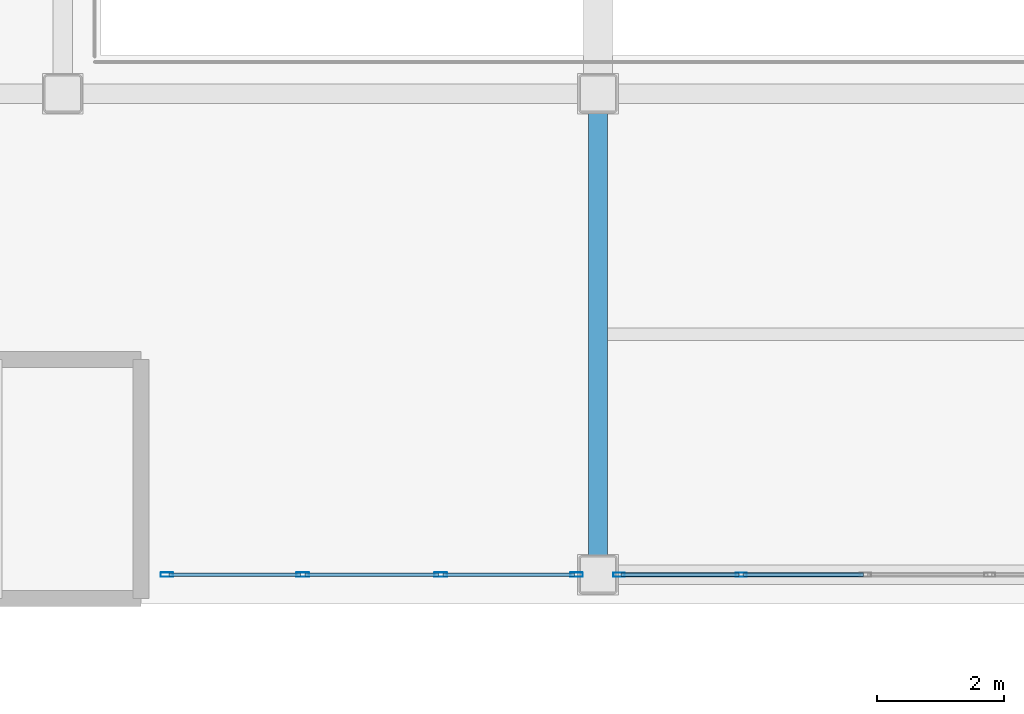
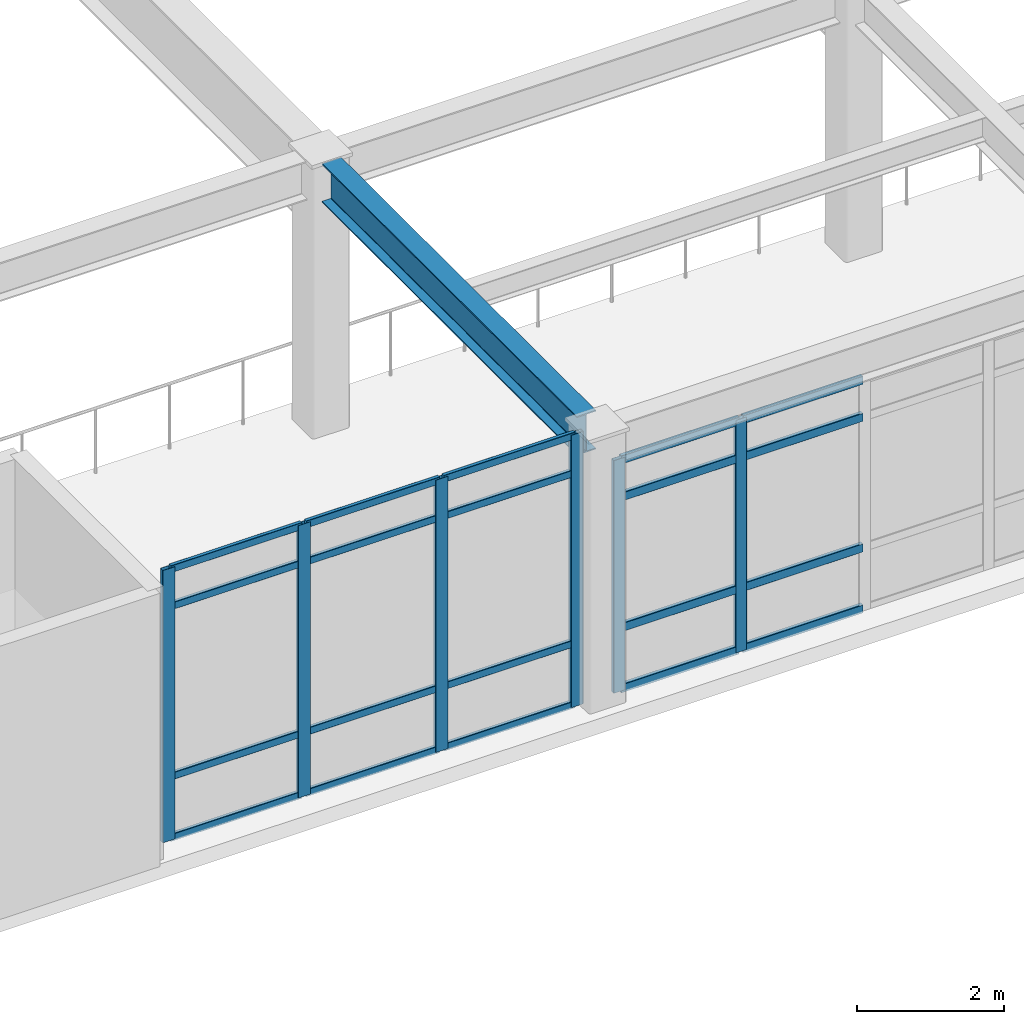
# One storey, part 10 of 172: 26 members, 1 beam, 2 elements without a shape of their own.
"""IFC4 building model written with IfcOpenShell, lengths in metres."""

from ifc_helpers import new_model, si_unit, direction, frame, origin, origin_2d, place, context, subcontext, project, spatial, hollow_rectangle, i_section, extrude, material, layer, layer_set, material_profile, profile_set, type_object, element, aggregate, save


model = new_model("IFC4")

# Units and contexts
model_context = context("Model", 3, precision=1e-05, world=origin(), true_north=direction((0.0, 1.0)))
body_context = subcontext(model_context, "Body", "Model", "MODEL_VIEW")
ifc_project = project(units=[si_unit("LENGTHUNIT", "METRE"), si_unit("AREAUNIT", "SQUARE_METRE"), si_unit("VOLUMEUNIT", "CUBIC_METRE"), si_unit("PLANEANGLEUNIT", "RADIAN"), si_unit("MASSUNIT", "GRAM", prefix="KILO")], contexts=[model_context])

# Site, building, storey
site_placement = place(None, origin())
site = spatial("IfcSite", under=ifc_project, at=site_placement, CompositionType="ELEMENT")
building_placement = place(site_placement, origin())
building = spatial("IfcBuilding", under=site, at=building_placement, Name="Kazehara Bluff Congress Hotel", CompositionType="ELEMENT")
storey_placement = place(building_placement, frame((0.0, 0.0, 5.39990234375)))
storey = spatial("IfcBuildingStorey", under=building, at=storey_placement, Name="L01", CompositionType="ELEMENT", Elevation=5.39990234375)

# Curtain wall, members
ifc_material_1 = material(Name="Anodised aluminium", Category="aluminium")
ifc_layer_1 = layer(ifc_material_1, 0.159912109375)
ifc_layer_set_1 = layer_set([ifc_layer_1], Name="Anodised aluminium")
curtain_wall_type_1 = type_object("IfcCurtainWallType", Name="TP-CW-29", PredefinedType="NOTDEFINED", material=ifc_layer_set_1)
curtain_wall_1_placement = place(storey_placement, origin())
curtain_wall_1 = element("IfcCurtainWall", 1, at=curtain_wall_1_placement, inside=storey, type_object=curtain_wall_type_1, Name="L01 curtain wall CW-29 CW-V2-L01-Y45-2550", PredefinedType="NOTDEFINED")
ifc_material_2 = material(Name="Anodised aluminium", Category="aluminium")
ifc_material_profile_1 = material_profile(ifc_material_2, hollow_rectangle(XDim=0.06494140625, YDim=0.179931640625, WallThickness=0.00390625, InnerFilletRadius=0.00390625, OuterFilletRadius=0.008056640625, at=origin_2d()))
ifc_profile_set_1 = profile_set([ifc_material_profile_1], Name="Anodised aluminium")
member_type_1 = type_object("IfcMemberType", Name="TP-CWM-02", PredefinedType="MULLION", material=ifc_profile_set_1)
member_1_placement = place(storey_placement, frame((25.532470703125, 0.449951171875, 0.0), z_axis=(0.0, 0.0, 1.0), x_axis=(0.0, 1.0, 0.0)))
member_1 = element("IfcMember", 2, at=member_1_placement, type_object=member_type_1, Name="CW-29 mullion 1", PredefinedType="MULLION", context=body_context, shape_type="SweptSolid", body=[
    extrude(hollow_rectangle(XDim=0.06494140625, YDim=0.179931640625, WallThickness=0.00390625, InnerFilletRadius=0.00390625, OuterFilletRadius=0.008056640625, at=origin_2d()), origin(), (0.0, 0.0, 1.0), 3.875),
])
member_2_placement = place(storey_placement, frame((27.449951171875, 0.449951171875, 0.0), z_axis=(0.0, 0.0, 1.0), x_axis=(0.0, 1.0, 0.0)))
member_2 = element("IfcMember", 3, at=member_2_placement, type_object=member_type_1, Name="CW-29 mullion 2", PredefinedType="MULLION", context=body_context, shape_type="SweptSolid", body=[
    extrude(hollow_rectangle(XDim=0.06494140625, YDim=0.179931640625, WallThickness=0.00390625, InnerFilletRadius=0.00390625, OuterFilletRadius=0.008056640625, at=origin_2d()), origin(), (0.0, 0.0, 1.0), 3.875),
])

ifc_material_3 = material(Name="Anodised aluminium", Category="aluminium")
ifc_layer_2 = layer(ifc_material_3, 0.159912109375)
ifc_layer_set_2 = layer_set([ifc_layer_2], Name="Anodised aluminium")
curtain_wall_type_2 = type_object("IfcCurtainWallType", Name="TP-CW-28", PredefinedType="NOTDEFINED", material=ifc_layer_set_2)
curtain_wall_2_placement = place(storey_placement, origin())
curtain_wall_2 = element("IfcCurtainWall", 4, at=curtain_wall_2_placement, inside=storey, type_object=curtain_wall_type_2, Name="L01 curtain wall CW-28 CW-V2-L01-Y45-1840", PredefinedType="NOTDEFINED")
ifc_material_4 = material(Name="Anodised aluminium", Category="aluminium")
ifc_material_profile_2 = material_profile(ifc_material_4, hollow_rectangle(XDim=0.070068359375, YDim=0.199951171875, WallThickness=0.0048828125, InnerFilletRadius=0.0048828125, OuterFilletRadius=0.010009765625, at=origin_2d()))
ifc_profile_set_2 = profile_set([ifc_material_profile_2], Name="Anodised aluminium")
member_type_2 = type_object("IfcMemberType", Name="TP-CWM-03", PredefinedType="MULLION", material=ifc_profile_set_2)
member_3_placement = place(storey_placement, frame((18.43505859375, 0.449951171875, 0.0), z_axis=(0.0, 0.0, 1.0), x_axis=(0.0, 1.0, 0.0)))
member_3 = element("IfcMember", 5, at=member_3_placement, type_object=member_type_2, Name="CW-28 mullion 1", PredefinedType="MULLION", context=body_context, shape_type="SweptSolid", body=[
    extrude(hollow_rectangle(XDim=0.070068359375, YDim=0.199951171875, WallThickness=0.0048828125, InnerFilletRadius=0.0048828125, OuterFilletRadius=0.010009765625, at=origin_2d()), origin(), (0.0, 0.0, 1.0), 4.53515625),
])
member_4_placement = place(storey_placement, frame((20.566650390625, 0.449951171875, 0.0), z_axis=(0.0, 0.0, 1.0), x_axis=(0.0, 1.0, 0.0)))
member_4 = element("IfcMember", 6, at=member_4_placement, type_object=member_type_2, Name="CW-28 mullion 2", PredefinedType="MULLION", context=body_context, shape_type="SweptSolid", body=[
    extrude(hollow_rectangle(XDim=0.070068359375, YDim=0.199951171875, WallThickness=0.0048828125, InnerFilletRadius=0.0048828125, OuterFilletRadius=0.010009765625, at=origin_2d()), origin(), (0.0, 0.0, 1.0), 4.53515625),
])
member_5_placement = place(storey_placement, frame((22.7333984375, 0.449951171875, 0.0), z_axis=(0.0, 0.0, 1.0), x_axis=(0.0, 1.0, 0.0)))
member_5 = element("IfcMember", 7, at=member_5_placement, type_object=member_type_2, Name="CW-28 mullion 3", PredefinedType="MULLION", context=body_context, shape_type="SweptSolid", body=[
    extrude(hollow_rectangle(XDim=0.070068359375, YDim=0.199951171875, WallThickness=0.0048828125, InnerFilletRadius=0.0048828125, OuterFilletRadius=0.010009765625, at=origin_2d()), origin(), (0.0, 0.0, 1.0), 4.53515625),
])
member_6_placement = place(storey_placement, frame((24.864990234375, 0.449951171875, 0.0), z_axis=(0.0, 0.0, 1.0), x_axis=(0.0, 1.0, 0.0)))
member_6 = element("IfcMember", 8, at=member_6_placement, type_object=member_type_2, Name="CW-28 mullion 4", PredefinedType="MULLION", context=body_context, shape_type="SweptSolid", body=[
    extrude(hollow_rectangle(XDim=0.070068359375, YDim=0.199951171875, WallThickness=0.0048828125, InnerFilletRadius=0.0048828125, OuterFilletRadius=0.010009765625, at=origin_2d()), origin(), (0.0, 0.0, 1.0), 4.53515625),
])
ifc_material_5 = material(Name="Anodised aluminium", Category="aluminium")
ifc_material_profile_3 = material_profile(ifc_material_5, hollow_rectangle(XDim=0.06005859375, YDim=0.1201171875, WallThickness=0.00390625, InnerFilletRadius=0.00390625, OuterFilletRadius=0.008056640625, at=origin_2d()))
ifc_profile_set_3 = profile_set([ifc_material_profile_3], Name="Anodised aluminium")
member_type_3 = type_object("IfcMemberType", Name="TP-CWT-01", PredefinedType="USERDEFINED", material=ifc_profile_set_3)
member_7_placement = place(storey_placement, frame((18.469970703125, 0.449951171875, 0.030029296875), z_axis=(1.0, 0.0, 0.0), x_axis=(0.0, 1.0, 0.0)))
member_7 = element("IfcMember", 9, at=member_7_placement, type_object=member_type_3, Name="CW-28 transom 1.1", ObjectType="TRANSOM", PredefinedType="USERDEFINED", context=body_context, shape_type="SweptSolid", body=[
    extrude(hollow_rectangle(XDim=0.06005859375, YDim=0.1201171875, WallThickness=0.00390625, InnerFilletRadius=0.00390625, OuterFilletRadius=0.008056640625, at=origin_2d()), origin(), (0.0, 0.0, 1.0), 2.061767578125),
])
member_8_placement = place(storey_placement, frame((18.469970703125, 0.449951171875, 1.050048828125), z_axis=(1.0, 0.0, 0.0), x_axis=(0.0, 1.0, 0.0)))
member_8 = element("IfcMember", 10, at=member_8_placement, type_object=member_type_3, Name="CW-28 transom 1.2", ObjectType="TRANSOM", PredefinedType="USERDEFINED", context=body_context, shape_type="SweptSolid", body=[
    extrude(hollow_rectangle(XDim=0.06005859375, YDim=0.1201171875, WallThickness=0.00390625, InnerFilletRadius=0.00390625, OuterFilletRadius=0.008056640625, at=origin_2d()), origin(), (0.0, 0.0, 1.0), 2.061767578125),
])
member_9_placement = place(storey_placement, frame((18.469970703125, 0.449951171875, 3.885009765625), z_axis=(1.0, 0.0, 0.0), x_axis=(0.0, 1.0, 0.0)))
member_9 = element("IfcMember", 11, at=member_9_placement, type_object=member_type_3, Name="CW-28 transom 1.3", ObjectType="TRANSOM", PredefinedType="USERDEFINED", context=body_context, shape_type="SweptSolid", body=[
    extrude(hollow_rectangle(XDim=0.06005859375, YDim=0.1201171875, WallThickness=0.00390625, InnerFilletRadius=0.00390625, OuterFilletRadius=0.008056640625, at=origin_2d()), origin(), (0.0, 0.0, 1.0), 2.061767578125),
])
member_10_placement = place(storey_placement, frame((18.469970703125, 0.449951171875, 4.505126953125), z_axis=(1.0, 0.0, 0.0), x_axis=(0.0, 1.0, 0.0)))
member_10 = element("IfcMember", 12, at=member_10_placement, type_object=member_type_3, Name="CW-28 transom 1.4", ObjectType="TRANSOM", PredefinedType="USERDEFINED", context=body_context, shape_type="SweptSolid", body=[
    extrude(hollow_rectangle(XDim=0.06005859375, YDim=0.1201171875, WallThickness=0.00390625, InnerFilletRadius=0.00390625, OuterFilletRadius=0.008056640625, at=origin_2d()), origin(), (0.0, 0.0, 1.0), 2.061767578125),
])
member_11_placement = place(storey_placement, frame((20.6015625, 0.449951171875, 0.030029296875), z_axis=(1.0, 0.0, 0.0), x_axis=(0.0, 1.0, 0.0)))
member_11 = element("IfcMember", 13, at=member_11_placement, type_object=member_type_3, Name="CW-28 transom 2.1", ObjectType="TRANSOM", PredefinedType="USERDEFINED", context=body_context, shape_type="SweptSolid", body=[
    extrude(hollow_rectangle(XDim=0.06005859375, YDim=0.1201171875, WallThickness=0.00390625, InnerFilletRadius=0.00390625, OuterFilletRadius=0.008056640625, at=origin_2d()), origin(), (0.0, 0.0, 1.0), 2.0966796875),
])
member_12_placement = place(storey_placement, frame((20.6015625, 0.449951171875, 1.050048828125), z_axis=(1.0, 0.0, 0.0), x_axis=(0.0, 1.0, 0.0)))
member_12 = element("IfcMember", 14, at=member_12_placement, type_object=member_type_3, Name="CW-28 transom 2.2", ObjectType="TRANSOM", PredefinedType="USERDEFINED", context=body_context, shape_type="SweptSolid", body=[
    extrude(hollow_rectangle(XDim=0.06005859375, YDim=0.1201171875, WallThickness=0.00390625, InnerFilletRadius=0.00390625, OuterFilletRadius=0.008056640625, at=origin_2d()), origin(), (0.0, 0.0, 1.0), 2.0966796875),
])
member_13_placement = place(storey_placement, frame((20.6015625, 0.449951171875, 3.885009765625), z_axis=(1.0, 0.0, 0.0), x_axis=(0.0, 1.0, 0.0)))
member_13 = element("IfcMember", 15, at=member_13_placement, type_object=member_type_3, Name="CW-28 transom 2.3", ObjectType="TRANSOM", PredefinedType="USERDEFINED", context=body_context, shape_type="SweptSolid", body=[
    extrude(hollow_rectangle(XDim=0.06005859375, YDim=0.1201171875, WallThickness=0.00390625, InnerFilletRadius=0.00390625, OuterFilletRadius=0.008056640625, at=origin_2d()), origin(), (0.0, 0.0, 1.0), 2.0966796875),
])
member_14_placement = place(storey_placement, frame((20.6015625, 0.449951171875, 4.505126953125), z_axis=(1.0, 0.0, 0.0), x_axis=(0.0, 1.0, 0.0)))
member_14 = element("IfcMember", 16, at=member_14_placement, type_object=member_type_3, Name="CW-28 transom 2.4", ObjectType="TRANSOM", PredefinedType="USERDEFINED", context=body_context, shape_type="SweptSolid", body=[
    extrude(hollow_rectangle(XDim=0.06005859375, YDim=0.1201171875, WallThickness=0.00390625, InnerFilletRadius=0.00390625, OuterFilletRadius=0.008056640625, at=origin_2d()), origin(), (0.0, 0.0, 1.0), 2.0966796875),
])
member_15_placement = place(storey_placement, frame((22.768310546875, 0.449951171875, 0.030029296875), z_axis=(1.0, 0.0, 0.0), x_axis=(0.0, 1.0, 0.0)))
member_15 = element("IfcMember", 17, at=member_15_placement, type_object=member_type_3, Name="CW-28 transom 3.1", ObjectType="TRANSOM", PredefinedType="USERDEFINED", context=body_context, shape_type="SweptSolid", body=[
    extrude(hollow_rectangle(XDim=0.06005859375, YDim=0.1201171875, WallThickness=0.00390625, InnerFilletRadius=0.00390625, OuterFilletRadius=0.008056640625, at=origin_2d()), origin(), (0.0, 0.0, 1.0), 2.061767578125),
])
member_16_placement = place(storey_placement, frame((22.768310546875, 0.449951171875, 1.050048828125), z_axis=(1.0, 0.0, 0.0), x_axis=(0.0, 1.0, 0.0)))
member_16 = element("IfcMember", 18, at=member_16_placement, type_object=member_type_3, Name="CW-28 transom 3.2", ObjectType="TRANSOM", PredefinedType="USERDEFINED", context=body_context, shape_type="SweptSolid", body=[
    extrude(hollow_rectangle(XDim=0.06005859375, YDim=0.1201171875, WallThickness=0.00390625, InnerFilletRadius=0.00390625, OuterFilletRadius=0.008056640625, at=origin_2d()), origin(), (0.0, 0.0, 1.0), 2.061767578125),
])
member_17_placement = place(storey_placement, frame((22.768310546875, 0.449951171875, 3.885009765625), z_axis=(1.0, 0.0, 0.0), x_axis=(0.0, 1.0, 0.0)))
member_17 = element("IfcMember", 19, at=member_17_placement, type_object=member_type_3, Name="CW-28 transom 3.3", ObjectType="TRANSOM", PredefinedType="USERDEFINED", context=body_context, shape_type="SweptSolid", body=[
    extrude(hollow_rectangle(XDim=0.06005859375, YDim=0.1201171875, WallThickness=0.00390625, InnerFilletRadius=0.00390625, OuterFilletRadius=0.008056640625, at=origin_2d()), origin(), (0.0, 0.0, 1.0), 2.061767578125),
])
member_18_placement = place(storey_placement, frame((22.768310546875, 0.449951171875, 4.505126953125), z_axis=(1.0, 0.0, 0.0), x_axis=(0.0, 1.0, 0.0)))
member_18 = element("IfcMember", 20, at=member_18_placement, type_object=member_type_3, Name="CW-28 transom 3.4", ObjectType="TRANSOM", PredefinedType="USERDEFINED", context=body_context, shape_type="SweptSolid", body=[
    extrude(hollow_rectangle(XDim=0.06005859375, YDim=0.1201171875, WallThickness=0.00390625, InnerFilletRadius=0.00390625, OuterFilletRadius=0.008056640625, at=origin_2d()), origin(), (0.0, 0.0, 1.0), 2.061767578125),
])
aggregate(curtain_wall_2, [member_3, member_4, member_5, member_6, member_7, member_8, member_9, member_10, member_11, member_12, member_13, member_14, member_15, member_16, member_17, member_18])

# Member
ifc_material_6 = material(Name="Anodised aluminium", Category="aluminium")
ifc_material_profile_4 = material_profile(ifc_material_6, hollow_rectangle(XDim=0.06494140625, YDim=0.139892578125, WallThickness=0.00390625, InnerFilletRadius=0.00390625, OuterFilletRadius=0.008056640625, at=origin_2d()))
ifc_profile_set_4 = profile_set([ifc_material_profile_4], Name="Anodised aluminium")
member_type_4 = type_object("IfcMemberType", Name="TP-CWT-02", PredefinedType="USERDEFINED", material=ifc_profile_set_4)
member_19_placement = place(storey_placement, frame((25.56494140625, 0.449951171875, 0.03271484375), z_axis=(1.0, 0.0, 0.0), x_axis=(0.0, 1.0, 0.0)))
member_19 = element("IfcMember", 21, at=member_19_placement, type_object=member_type_4, Name="CW-29 transom 1.1", ObjectType="TRANSOM", PredefinedType="USERDEFINED", context=body_context, shape_type="SweptSolid", body=[
    extrude(hollow_rectangle(XDim=0.06494140625, YDim=0.139892578125, WallThickness=0.00390625, InnerFilletRadius=0.00390625, OuterFilletRadius=0.008056640625, at=origin_2d()), origin(), (0.0, 0.0, 1.0), 1.8525390625),
])

member_20_placement = place(storey_placement, frame((25.56494140625, 0.449951171875, 1.050048828125), z_axis=(1.0, 0.0, 0.0), x_axis=(0.0, 1.0, 0.0)))
member_20 = element("IfcMember", 22, at=member_20_placement, type_object=member_type_4, Name="CW-29 transom 1.2", ObjectType="TRANSOM", PredefinedType="USERDEFINED", context=body_context, shape_type="SweptSolid", body=[
    extrude(hollow_rectangle(XDim=0.06494140625, YDim=0.139892578125, WallThickness=0.00390625, InnerFilletRadius=0.00390625, OuterFilletRadius=0.008056640625, at=origin_2d()), origin(), (0.0, 0.0, 1.0), 1.8525390625),
])

member_21_placement = place(storey_placement, frame((25.56494140625, 0.449951171875, 3.22509765625), z_axis=(1.0, 0.0, 0.0), x_axis=(0.0, 1.0, 0.0)))
member_21 = element("IfcMember", 23, at=member_21_placement, type_object=member_type_4, Name="CW-29 transom 1.3", ObjectType="TRANSOM", PredefinedType="USERDEFINED", context=body_context, shape_type="SweptSolid", body=[
    extrude(hollow_rectangle(XDim=0.06494140625, YDim=0.139892578125, WallThickness=0.00390625, InnerFilletRadius=0.00390625, OuterFilletRadius=0.008056640625, at=origin_2d()), origin(), (0.0, 0.0, 1.0), 1.8525390625),
])

member_22_placement = place(storey_placement, frame((25.56494140625, 0.449951171875, 3.842529296875), z_axis=(1.0, 0.0, 0.0), x_axis=(0.0, 1.0, 0.0)))
member_22 = element("IfcMember", 24, at=member_22_placement, type_object=member_type_4, Name="CW-29 transom 1.4", ObjectType="TRANSOM", PredefinedType="USERDEFINED", context=body_context, shape_type="SweptSolid", body=[
    extrude(hollow_rectangle(XDim=0.06494140625, YDim=0.139892578125, WallThickness=0.00390625, InnerFilletRadius=0.00390625, OuterFilletRadius=0.008056640625, at=origin_2d()), origin(), (0.0, 0.0, 1.0), 1.8525390625),
])

member_23_placement = place(storey_placement, frame((27.482421875, 0.449951171875, 0.03271484375), z_axis=(1.0, 0.0, 0.0), x_axis=(0.0, 1.0, 0.0)))
member_23 = element("IfcMember", 25, at=member_23_placement, type_object=member_type_4, Name="CW-29 transom 2.1", ObjectType="TRANSOM", PredefinedType="USERDEFINED", context=body_context, shape_type="SweptSolid", body=[
    extrude(hollow_rectangle(XDim=0.06494140625, YDim=0.139892578125, WallThickness=0.00390625, InnerFilletRadius=0.00390625, OuterFilletRadius=0.008056640625, at=origin_2d()), origin(), (0.0, 0.0, 1.0), 1.885009765625),
])

member_24_placement = place(storey_placement, frame((27.482421875, 0.449951171875, 1.050048828125), z_axis=(1.0, 0.0, 0.0), x_axis=(0.0, 1.0, 0.0)))
member_24 = element("IfcMember", 26, at=member_24_placement, type_object=member_type_4, Name="CW-29 transom 2.2", ObjectType="TRANSOM", PredefinedType="USERDEFINED", context=body_context, shape_type="SweptSolid", body=[
    extrude(hollow_rectangle(XDim=0.06494140625, YDim=0.139892578125, WallThickness=0.00390625, InnerFilletRadius=0.00390625, OuterFilletRadius=0.008056640625, at=origin_2d()), origin(), (0.0, 0.0, 1.0), 1.885009765625),
])

member_25_placement = place(storey_placement, frame((27.482421875, 0.449951171875, 3.22509765625), z_axis=(1.0, 0.0, 0.0), x_axis=(0.0, 1.0, 0.0)))
member_25 = element("IfcMember", 27, at=member_25_placement, type_object=member_type_4, Name="CW-29 transom 2.3", ObjectType="TRANSOM", PredefinedType="USERDEFINED", context=body_context, shape_type="SweptSolid", body=[
    extrude(hollow_rectangle(XDim=0.06494140625, YDim=0.139892578125, WallThickness=0.00390625, InnerFilletRadius=0.00390625, OuterFilletRadius=0.008056640625, at=origin_2d()), origin(), (0.0, 0.0, 1.0), 1.885009765625),
])

member_26_placement = place(storey_placement, frame((27.482421875, 0.449951171875, 3.842529296875), z_axis=(1.0, 0.0, 0.0), x_axis=(0.0, 1.0, 0.0)))
member_26 = element("IfcMember", 28, at=member_26_placement, type_object=member_type_4, Name="CW-29 transom 2.4", ObjectType="TRANSOM", PredefinedType="USERDEFINED", context=body_context, shape_type="SweptSolid", body=[
    extrude(hollow_rectangle(XDim=0.06494140625, YDim=0.139892578125, WallThickness=0.00390625, InnerFilletRadius=0.00390625, OuterFilletRadius=0.008056640625, at=origin_2d()), origin(), (0.0, 0.0, 1.0), 1.885009765625),
])

aggregate(curtain_wall_1, [member_1, member_2, member_19, member_20, member_21, member_22, member_23, member_24, member_25, member_26])

# Beam
ifc_material_7 = material(Name="Steel SN490B", Category="steel")
ifc_material_profile_5 = material_profile(ifc_material_7, i_section(OverallWidth=0.300048828125, OverallDepth=0.64990234375, WebThickness=0.011962890625, FlangeThickness=0.02001953125, FilletRadius=0.012939453125, at=origin_2d()))
ifc_profile_set_5 = profile_set([ifc_material_profile_5], Name="Steel SN490B")
beam_type = type_object("IfcBeamType", Name="TP-G-03", PredefinedType="BEAM", material=ifc_profile_set_5)
beam_placement = place(storey_placement, frame((25.199951171875, 0.75, 4.22509765625), z_axis=(0.0, 1.0, 0.0), x_axis=(-1.0, 0.0, 0.0)))
element("IfcBeam", 29, at=beam_placement, inside=storey, type_object=beam_type, Name="L01 girder G-03 52", PredefinedType="BEAM", context=body_context, shape_type="SweptSolid", body=[
    extrude(i_section(OverallWidth=0.300048828125, OverallDepth=0.64990234375, WebThickness=0.011962890625, FlangeThickness=0.02001953125, FilletRadius=0.012939453125, at=origin_2d()), origin(), (0.0, 0.0, 1.0), 6.949951171875),
])

save(model, "model.ifc")
